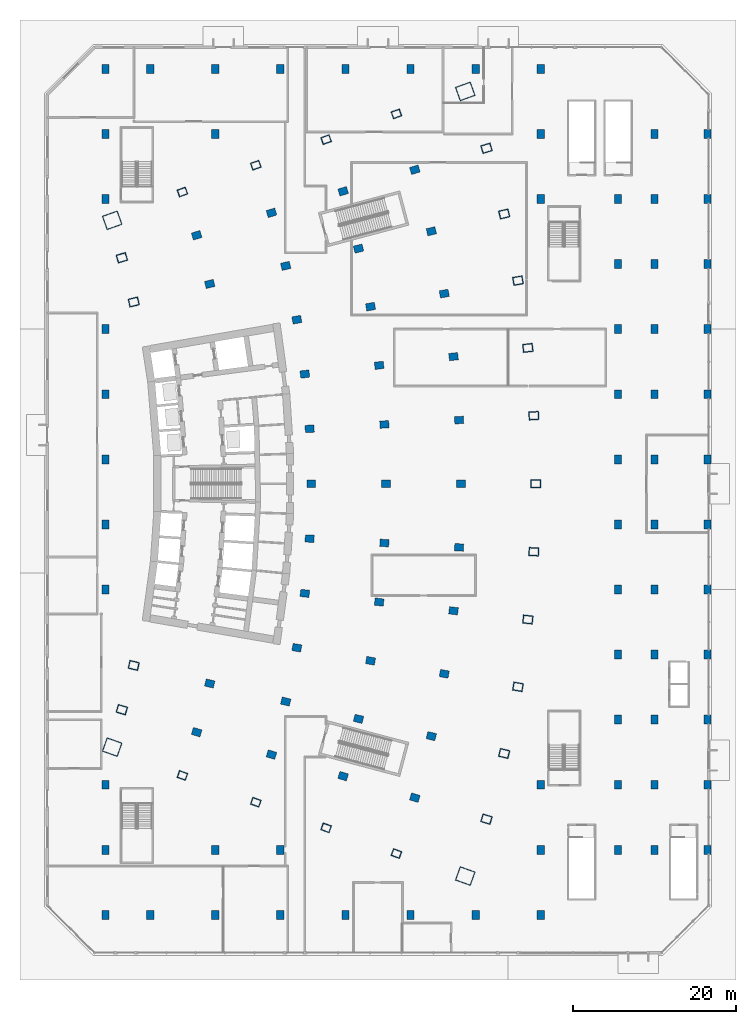
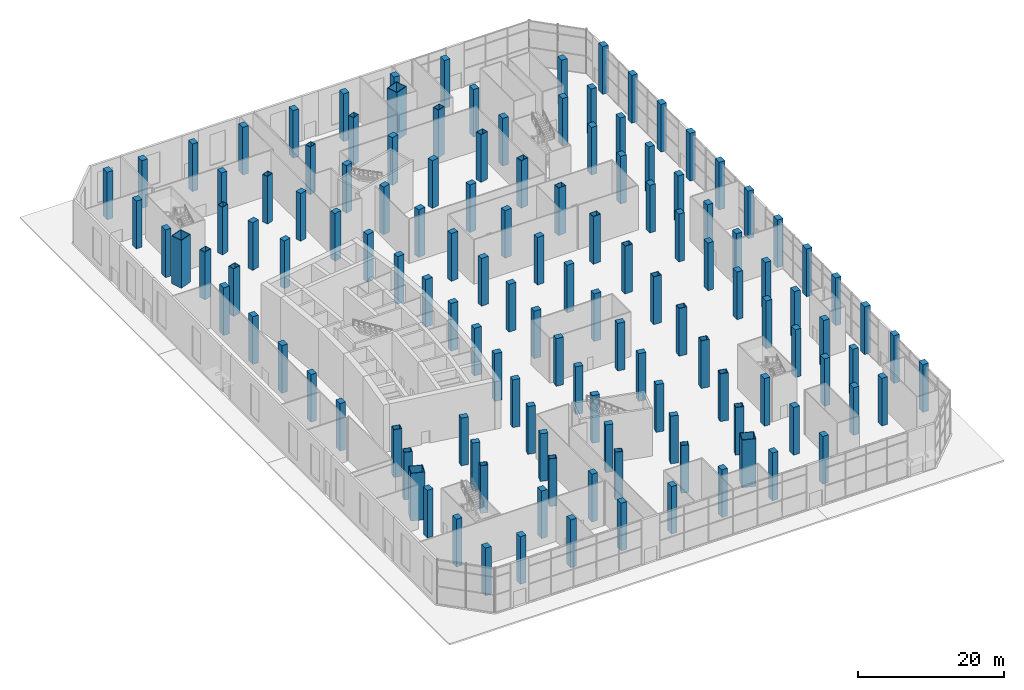
# One storey, part 1 of 33: 131 columns.
"""IFC4 building model written with IfcOpenShell, lengths in metres."""

from ifc_helpers import new_model, si_unit, direction, frame, origin, origin_2d, place, context, subcontext, project, spatial, rectangle, hollow_rectangle, extrude, material, material_profile, profile_set, type_object, element, save


model = new_model("IFC4")

# Units and contexts
model_context = context("Model", 3, precision=1e-05, world=origin(), true_north=direction((0.0, 1.0)))
body_context = subcontext(model_context, "Body", "Model", "MODEL_VIEW")
ifc_project = project(units=[si_unit("LENGTHUNIT", "METRE"), si_unit("AREAUNIT", "SQUARE_METRE"), si_unit("VOLUMEUNIT", "CUBIC_METRE"), si_unit("PLANEANGLEUNIT", "RADIAN"), si_unit("MASSUNIT", "GRAM", prefix="KILO")], contexts=[model_context])

# Site, building, storey
site_placement = place(None, origin())
site = spatial("IfcSite", under=ifc_project, at=site_placement, CompositionType="ELEMENT")
building_placement = place(site_placement, origin())
building = spatial("IfcBuilding", under=site, at=building_placement, Name="Alderwake Tower", CompositionType="ELEMENT")
storey_placement = place(building_placement, origin())
storey = spatial("IfcBuildingStorey", under=building, at=storey_placement, Name="L00", CompositionType="ELEMENT", Elevation=0.0)

# Columns
ifc_material_1 = material(Name="Steel ASTM A572 Grade 50 concrete filled C70/85", Category="concrete")
ifc_material_profile_1 = material_profile(ifc_material_1, hollow_rectangle(XDim=0.89990234375, YDim=1.10009765625, WallThickness=0.06005859375, at=origin_2d()), Name="BOX 1100X900X60")
ifc_profile_set_1 = profile_set([ifc_material_profile_1], Name="Steel ASTM A572 Grade 50 concrete filled C70/85")
column_type_1 = type_object("IfcColumnType", Name="End column Z1", PredefinedType="COLUMN", material=ifc_profile_set_1)
for number, where, z_axis, x_axis, name in (
    (1, (19.965576171875, 25.1484375, 0.0), (0.0, 0.0, 1.0), (0.337584879279, 0.9412950915, 0.0), "Column R01-C1"),
    (2, (28.983642578125, 21.856689453125, 0.0), (0.0, 0.0, 1.0), (0.338026774049, 0.941136493834, 0.0), "Column R01-C2"),
    (3, (37.6259765625, 18.701904296875, 0.0), (0.0, 0.0, 1.0), (0.338384834858, 0.941007812687, 0.0), "Column R01-C3"),
    (4, (46.268310546875, 15.547119140625, 0.0), (0.0, 0.0, 1.0), (0.338695224082, 0.940896139425, 0.0), "Column R01-C4"),
    (5, (19.965576171875, 96.8515625, 0.0), (0.0, 0.0, 1.0), (-0.337584879279, 0.9412950915, 0.0), "Column R13-C1"),
    (6, (28.983642578125, 100.143310546875, 0.0), (0.0, 0.0, 1.0), (-0.338026774049, 0.941136493834, 0.0), "Column R13-C2"),
    (7, (37.6259765625, 103.298095703125, 0.0), (0.0, 0.0, 1.0), (-0.338384834858, 0.941007812687, 0.0), "Column R13-C3"),
    (8, (46.268310546875, 106.452880859375, 0.0), (0.0, 0.0, 1.0), (-0.338695224082, 0.940896139425, 0.0), "Column R13-C4"),
):
    element("IfcColumn", number, at=place(storey_placement, frame(where, z_axis=z_axis, x_axis=x_axis)), inside=storey, type_object=column_type_1, Name=name, PredefinedType="COLUMN", context=body_context, shape_type="SweptSolid", body=[
        extrude(hollow_rectangle(XDim=0.89990234375, YDim=1.10009765625, WallThickness=0.06005859375, at=origin_2d()), origin(), (0.0, 0.0, 1.0), 8.0),
    ])
ifc_material_2 = material(Name="Concrete C70/85", Category="concrete")
ifc_material_profile_2 = material_profile(ifc_material_2, rectangle(XDim=0.89990234375, YDim=1.10009765625, at=origin_2d()), Name="RC 1100X900")
ifc_profile_set_2 = profile_set([ifc_material_profile_2], Name="Concrete C70/85")
column_type_2 = type_object("IfcColumnType", Name="Interior column Z1", PredefinedType="COLUMN", material=ifc_profile_set_2)
for number, where, z_axis, x_axis, name in (
    (9, (21.714599609375, 30.46240234375, 0.0), (0.0, 0.0, 1.0), (0.287549418125, 0.957765802342, 0.0), "Column R02-C1"),
    (10, (30.9091796875, 27.701904296875, 0.0), (0.0, 0.0, 1.0), (0.287549418125, 0.957765802342, 0.0), "Column R02-C2"),
    (11, (39.720703125, 25.056396484375, 0.0), (0.0, 0.0, 1.0), (0.287549418125, 0.957765802342, 0.0), "Column R02-C3"),
    (12, (48.5322265625, 22.410888671875, 0.0), (0.0, 0.0, 1.0), (0.287549418125, 0.957765802342, 0.0), "Column R02-C4"),
    (13, (23.322021484375, 36.444091796875, 0.0), (0.0, 0.0, 1.0), (0.231221547198, 0.972901123502, 0.0), "Column R03-C1"),
    (14, (32.661865234375, 34.224609375, 0.0), (0.0, 0.0, 1.0), (0.231221547198, 0.972901123502, 0.0), "Column R03-C2"),
    (15, (41.612548828125, 32.097412109375, 0.0), (0.0, 0.0, 1.0), (0.231221547198, 0.972901123502, 0.0), "Column R03-C3"),
    (16, (50.563232421875, 29.969970703125, 0.0), (0.0, 0.0, 1.0), (0.231221547198, 0.972901123502, 0.0), "Column R03-C4"),
    (17, (34.03125, 40.83837890625, 0.0), (0.0, 0.0, 1.0), (0.174108800747, 0.984726421654, 0.0), "Column R04-C2"),
    (18, (43.0908203125, 39.236572265625, 0.0), (0.0, 0.0, 1.0), (0.174108800747, 0.984726421654, 0.0), "Column R04-C3"),
    (19, (52.150390625, 37.634765625, 0.0), (0.0, 0.0, 1.0), (0.174108800747, 0.984726421654, 0.0), "Column R04-C4"),
    (20, (35.0126953125, 47.5205078125, 0.0), (0.0, 0.0, 1.0), (0.116402054316, 0.993202175668, 0.0), "Column R05-C2"),
    (21, (44.150390625, 46.44970703125, 0.0), (0.0, 0.0, 1.0), (0.116402054316, 0.993202175668, 0.0), "Column R05-C3"),
    (22, (53.28759765625, 45.37890625, 0.0), (0.0, 0.0, 1.0), (0.116402054316, 0.993202175668, 0.0), "Column R05-C4"),
    (23, (35.60302734375, 54.248779296875, 0.0), (0.0, 0.0, 1.0), (0.058301061284, 0.998299046505, 0.0), "Column R06-C2"),
    (24, (44.787353515625, 53.71240234375, 0.0), (0.0, 0.0, 1.0), (0.058299318924, 0.998299148258, 0.0), "Column R06-C3"),
    (25, (53.9716796875, 53.176025390625, 0.0), (0.0, 0.0, 1.0), (0.058301061284, 0.998299046505, 0.0), "Column R06-C4"),
    (26, (35.800048828125, 61.0, 0.0), (0.0, 0.0, 1.0), (0.0, 1.0, 0.0), "Column R07-C2"),
    (27, (45.0, 61.0, 0.0), (0.0, 0.0, 1.0), (0.0, 1.0, 0.0), "Column R07-C3"),
    (28, (54.199951171875, 61.0, 0.0), (0.0, 0.0, 1.0), (0.0, 1.0, 0.0), "Column R07-C4"),
    (29, (35.60302734375, 67.751220703125, 0.0), (0.0, 0.0, 1.0), (-0.058301061284, 0.998299046505, 0.0), "Column R08-C2"),
    (30, (44.787353515625, 68.28759765625, 0.0), (0.0, 0.0, 1.0), (-0.058299318924, 0.998299148258, 0.0), "Column R08-C3"),
    (31, (53.9716796875, 68.823974609375, 0.0), (0.0, 0.0, 1.0), (-0.058301061284, 0.998299046505, 0.0), "Column R08-C4"),
    (32, (35.0126953125, 74.4794921875, 0.0), (0.0, 0.0, 1.0), (-0.116402054316, 0.993202175668, 0.0), "Column R09-C2"),
    (33, (44.150390625, 75.55029296875, 0.0), (0.0, 0.0, 1.0), (-0.116402054316, 0.993202175668, 0.0), "Column R09-C3"),
    (34, (53.28759765625, 76.62109375, 0.0), (0.0, 0.0, 1.0), (-0.116402054316, 0.993202175668, 0.0), "Column R09-C4"),
    (35, (34.03125, 81.16162109375, 0.0), (0.0, 0.0, 1.0), (-0.174108800747, 0.984726421654, 0.0), "Column R10-C2"),
    (36, (43.0908203125, 82.763427734375, 0.0), (0.0, 0.0, 1.0), (-0.174108800747, 0.984726421654, 0.0), "Column R10-C3"),
    (37, (52.150390625, 84.365234375, 0.0), (0.0, 0.0, 1.0), (-0.174108800747, 0.984726421654, 0.0), "Column R10-C4"),
    (38, (23.322021484375, 85.555908203125, 0.0), (0.0, 0.0, 1.0), (-0.231221547198, 0.972901123502, 0.0), "Column R11-C1"),
    (39, (32.661865234375, 87.775390625, 0.0), (0.0, 0.0, 1.0), (-0.231221547198, 0.972901123502, 0.0), "Column R11-C2"),
    (40, (41.612548828125, 89.902587890625, 0.0), (0.0, 0.0, 1.0), (-0.231221547198, 0.972901123502, 0.0), "Column R11-C3"),
    (41, (50.563232421875, 92.030029296875, 0.0), (0.0, 0.0, 1.0), (-0.231221547198, 0.972901123502, 0.0), "Column R11-C4"),
    (42, (21.714599609375, 91.53759765625, 0.0), (0.0, 0.0, 1.0), (-0.287549418125, 0.957765802342, 0.0), "Column R12-C1"),
    (43, (30.9091796875, 94.298095703125, 0.0), (0.0, 0.0, 1.0), (-0.287549418125, 0.957765802342, 0.0), "Column R12-C2"),
    (44, (39.720703125, 96.943603515625, 0.0), (0.0, 0.0, 1.0), (-0.287549418125, 0.957765802342, 0.0), "Column R12-C3"),
    (45, (48.5322265625, 99.589111328125, 0.0), (0.0, 0.0, 1.0), (-0.287549418125, 0.957765802342, 0.0), "Column R12-C4"),
):
    element("IfcColumn", number, at=place(storey_placement, frame(where, z_axis=z_axis, x_axis=x_axis)), inside=storey, type_object=column_type_2, Name=name, PredefinedType="COLUMN", context=body_context, shape_type="SweptSolid", body=[
        extrude(rectangle(XDim=0.89990234375, YDim=1.10009765625, at=origin_2d()), origin(), (0.0, 0.0, 1.0), 8.0),
    ])
ifc_material_3 = material(Name="Steel ASTM A572 Grade 50 concrete filled C70/85", Category="concrete")
ifc_material_profile_3 = material_profile(ifc_material_3, hollow_rectangle(XDim=1.800048828125, YDim=2.0, WallThickness=0.090087890625, at=origin_2d()), Name="BOX 2000X1800X90")
ifc_profile_set_3 = profile_set([ifc_material_profile_3], Name="Steel ASTM A572 Grade 50 concrete filled C70/85")
column_type_3 = type_object("IfcColumnType", Name="Mega column Z1", PredefinedType="COLUMN", material=ifc_profile_set_3)
for number, where, z_axis, x_axis, name in (
    (46, (11.330810546875, 28.622802734375, 0.0), (0.0, 0.0, 1.0), (0.334130947791, 0.942526662609, 0.0), "Column R01-C0"),
    (47, (54.7294921875, 12.77587890625, 0.0), (0.0, 0.0, 1.0), (0.336995022772, 0.941506428351, 0.0), "Column R01-C5"),
    (48, (11.330810546875, 93.377197265625, 0.0), (0.0, 0.0, 1.0), (-0.334130947791, 0.942526662609, 0.0), "Column R13-C0"),
    (49, (54.7294921875, 109.22412109375, 0.0), (0.0, 0.0, 1.0), (-0.336995022772, 0.941506428351, 0.0), "Column R13-C5"),
):
    element("IfcColumn", number, at=place(storey_placement, frame(where, z_axis=z_axis, x_axis=x_axis)), inside=storey, type_object=column_type_3, Name=name, PredefinedType="COLUMN", context=body_context, shape_type="SweptSolid", body=[
        extrude(hollow_rectangle(XDim=1.800048828125, YDim=2.0, WallThickness=0.090087890625, at=origin_2d()), origin(), (0.0, 0.0, 1.0), 8.0),
    ])
ifc_material_4 = material(Name="Steel ASTM A572 Grade 50 concrete filled C70/85", Category="concrete")
ifc_material_profile_4 = material_profile(ifc_material_4, hollow_rectangle(XDim=1.0, YDim=1.199951171875, WallThickness=0.06005859375, at=origin_2d()), Name="BOX 1200X1000X60")
ifc_profile_set_4 = profile_set([ifc_material_profile_4], Name="Steel ASTM A572 Grade 50 concrete filled C70/85")
column_type_4 = type_object("IfcColumnType", Name="Perimeter column Z1", PredefinedType="COLUMN", material=ifc_profile_set_4)
for number, where, z_axis, x_axis, name in (
    (50, (12.520263671875, 33.222900390625, 0.0), (0.0, 0.0, 1.0), (0.287549418125, 0.957765802342, 0.0), "Column R02-C0"),
    (51, (57.343505859375, 19.765380859375, 0.0), (0.0, 0.0, 1.0), (0.287549418125, 0.957765802342, 0.0), "Column R02-C5"),
    (52, (13.982177734375, 38.6640625, 0.0), (0.0, 0.0, 1.0), (0.231221547198, 0.972901123502, 0.0), "Column R03-C0"),
    (53, (59.513916015625, 27.8427734375, 0.0), (0.0, 0.0, 1.0), (0.231221547198, 0.972901123502, 0.0), "Column R03-C5"),
    (54, (61.209716796875, 36.032958984375, 0.0), (0.0, 0.0, 1.0), (0.174108800747, 0.984726421654, 0.0), "Column R04-C5"),
    (55, (62.42529296875, 44.307861328125, 0.0), (0.0, 0.0, 1.0), (0.116402054316, 0.993202175668, 0.0), "Column R05-C5"),
    (56, (63.156005859375, 52.6396484375, 0.0), (0.0, 0.0, 1.0), (0.058301061284, 0.998299046505, 0.0), "Column R06-C5"),
    (57, (63.39990234375, 61.0, 0.0), (0.0, 0.0, 1.0), (0.0, 1.0, 0.0), "Column R07-C5"),
    (58, (63.156005859375, 69.3603515625, 0.0), (0.0, 0.0, 1.0), (-0.058301061284, 0.998299046505, 0.0), "Column R08-C5"),
    (59, (62.42529296875, 77.692138671875, 0.0), (0.0, 0.0, 1.0), (-0.116402054316, 0.993202175668, 0.0), "Column R09-C5"),
    (60, (61.209716796875, 85.967041015625, 0.0), (0.0, 0.0, 1.0), (-0.174108800747, 0.984726421654, 0.0), "Column R10-C5"),
    (61, (13.982177734375, 83.3359375, 0.0), (0.0, 0.0, 1.0), (-0.231221547198, 0.972901123502, 0.0), "Column R11-C0"),
    (62, (59.513916015625, 94.1572265625, 0.0), (0.0, 0.0, 1.0), (-0.231221547198, 0.972901123502, 0.0), "Column R11-C5"),
    (63, (12.520263671875, 88.777099609375, 0.0), (0.0, 0.0, 1.0), (-0.287549418125, 0.957765802342, 0.0), "Column R12-C0"),
    (64, (57.343505859375, 102.234619140625, 0.0), (0.0, 0.0, 1.0), (-0.287549418125, 0.957765802342, 0.0), "Column R12-C5"),
):
    element("IfcColumn", number, at=place(storey_placement, frame(where, z_axis=z_axis, x_axis=x_axis)), inside=storey, type_object=column_type_4, Name=name, PredefinedType="COLUMN", context=body_context, shape_type="SweptSolid", body=[
        extrude(hollow_rectangle(XDim=1.0, YDim=1.199951171875, WallThickness=0.06005859375, at=origin_2d()), origin(), (0.0, 0.0, 1.0), 8.0),
    ])
ifc_material_5 = material(Name="Concrete C70/85", Category="concrete")
ifc_material_profile_5 = material_profile(ifc_material_5, rectangle(XDim=0.89990234375, YDim=1.10009765625, at=origin_2d()), Name="RC 1100X900")
ifc_profile_set_5 = profile_set([ifc_material_profile_5], Name="Concrete C70/85")
column_type_5 = type_object("IfcColumnType", Name="Podium column", PredefinedType="COLUMN", material=ifc_profile_set_5)
for number, where, z_axis, x_axis, name in (
    (65, (10.5, 8.0, 0.0), (0.0, 0.0, 1.0), (1.0, 0.0, 0.0), "Column XW-YB"),
    (66, (10.5, 16.0, 0.0), (0.0, 0.0, 1.0), (1.0, 0.0, 0.0), "Column XW-YC"),
    (67, (10.5, 24.0, 0.0), (0.0, 0.0, 1.0), (1.0, 0.0, 0.0), "Column XW-YD"),
    (68, (10.5, 48.0, 0.0), (0.0, 0.0, 1.0), (1.0, 0.0, 0.0), "Column XW-YG"),
    (69, (10.5, 56.0, 0.0), (0.0, 0.0, 1.0), (1.0, 0.0, 0.0), "Column XW-YH"),
    (70, (10.5, 64.0, 0.0), (0.0, 0.0, 1.0), (1.0, 0.0, 0.0), "Column XW-YI"),
    (71, (10.5, 72.0, 0.0), (0.0, 0.0, 1.0), (1.0, 0.0, 0.0), "Column XW-YJ"),
    (72, (10.5, 80.0, 0.0), (0.0, 0.0, 1.0), (1.0, 0.0, 0.0), "Column XW-YK"),
    (73, (10.5, 96.0, 0.0), (0.0, 0.0, 1.0), (1.0, 0.0, 0.0), "Column XW-YM"),
    (74, (10.5, 104.0, 0.0), (0.0, 0.0, 1.0), (1.0, 0.0, 0.0), "Column XW-YN"),
    (75, (10.5, 112.0, 0.0), (0.0, 0.0, 1.0), (1.0, 0.0, 0.0), "Column XW-YO"),
    (76, (16.0, 8.0, 0.0), (0.0, 0.0, 1.0), (1.0, 0.0, 0.0), "Column X03-YB"),
    (77, (16.0, 112.0, 0.0), (0.0, 0.0, 1.0), (1.0, 0.0, 0.0), "Column X03-YO"),
    (78, (24.0, 8.0, 0.0), (0.0, 0.0, 1.0), (1.0, 0.0, 0.0), "Column X04-YB"),
    (79, (24.0, 16.0, 0.0), (0.0, 0.0, 1.0), (1.0, 0.0, 0.0), "Column X04-YC"),
    (80, (24.0, 104.0, 0.0), (0.0, 0.0, 1.0), (1.0, 0.0, 0.0), "Column X04-YN"),
    (81, (24.0, 112.0, 0.0), (0.0, 0.0, 1.0), (1.0, 0.0, 0.0), "Column X04-YO"),
    (82, (32.0, 8.0, 0.0), (0.0, 0.0, 1.0), (1.0, 0.0, 0.0), "Column X05-YB"),
    (83, (32.0, 16.0, 0.0), (0.0, 0.0, 1.0), (1.0, 0.0, 0.0), "Column X05-YC"),
    (84, (32.0, 112.0, 0.0), (0.0, 0.0, 1.0), (1.0, 0.0, 0.0), "Column X05-YO"),
    (85, (40.0, 8.0, 0.0), (0.0, 0.0, 1.0), (1.0, 0.0, 0.0), "Column X06-YB"),
    (86, (40.0, 112.0, 0.0), (0.0, 0.0, 1.0), (1.0, 0.0, 0.0), "Column X06-YO"),
    (87, (48.0, 8.0, 0.0), (0.0, 0.0, 1.0), (1.0, 0.0, 0.0), "Column X07-YB"),
    (88, (48.0, 112.0, 0.0), (0.0, 0.0, 1.0), (1.0, 0.0, 0.0), "Column X07-YO"),
    (89, (56.0, 8.0, 0.0), (0.0, 0.0, 1.0), (1.0, 0.0, 0.0), "Column X08-YB"),
    (90, (56.0, 112.0, 0.0), (0.0, 0.0, 1.0), (1.0, 0.0, 0.0), "Column X08-YO"),
    (91, (64.0, 8.0, 0.0), (0.0, 0.0, 1.0), (1.0, 0.0, 0.0), "Column X09-YB"),
    (92, (64.0, 16.0, 0.0), (0.0, 0.0, 1.0), (1.0, 0.0, 0.0), "Column X09-YC"),
    (93, (64.0, 24.0, 0.0), (0.0, 0.0, 1.0), (1.0, 0.0, 0.0), "Column X09-YD"),
    (94, (64.0, 96.0, 0.0), (0.0, 0.0, 1.0), (1.0, 0.0, 0.0), "Column X09-YM"),
    (95, (64.0, 104.0, 0.0), (0.0, 0.0, 1.0), (1.0, 0.0, 0.0), "Column X09-YN"),
    (96, (64.0, 112.0, 0.0), (0.0, 0.0, 1.0), (1.0, 0.0, 0.0), "Column X09-YO"),
    (97, (73.5, 16.0, 0.0), (0.0, 0.0, 1.0), (1.0, 0.0, 0.0), "Column XS1-YC"),
    (98, (73.5, 24.0, 0.0), (0.0, 0.0, 1.0), (1.0, 0.0, 0.0), "Column XS1-YD"),
    (99, (73.5, 32.0, 0.0), (0.0, 0.0, 1.0), (1.0, 0.0, 0.0), "Column XS1-YE"),
    (100, (73.5, 40.0, 0.0), (0.0, 0.0, 1.0), (1.0, 0.0, 0.0), "Column XS1-YF"),
    (101, (73.5, 48.0, 0.0), (0.0, 0.0, 1.0), (1.0, 0.0, 0.0), "Column XS1-YG"),
    (102, (73.5, 56.0, 0.0), (0.0, 0.0, 1.0), (1.0, 0.0, 0.0), "Column XS1-YH"),
    (103, (73.5, 64.0, 0.0), (0.0, 0.0, 1.0), (1.0, 0.0, 0.0), "Column XS1-YI"),
    (104, (73.5, 72.0, 0.0), (0.0, 0.0, 1.0), (1.0, 0.0, 0.0), "Column XS1-YJ"),
    (105, (73.5, 80.0, 0.0), (0.0, 0.0, 1.0), (1.0, 0.0, 0.0), "Column XS1-YK"),
    (106, (73.5, 88.0, 0.0), (0.0, 0.0, 1.0), (1.0, 0.0, 0.0), "Column XS1-YL"),
    (107, (73.5, 96.0, 0.0), (0.0, 0.0, 1.0), (1.0, 0.0, 0.0), "Column XS1-YM"),
    (108, (78.0, 16.0, 0.0), (0.0, 0.0, 1.0), (1.0, 0.0, 0.0), "Column XS2-YC"),
    (109, (78.0, 24.0, 0.0), (0.0, 0.0, 1.0), (1.0, 0.0, 0.0), "Column XS2-YD"),
    (110, (78.0, 32.0, 0.0), (0.0, 0.0, 1.0), (1.0, 0.0, 0.0), "Column XS2-YE"),
    (111, (78.0, 40.0, 0.0), (0.0, 0.0, 1.0), (1.0, 0.0, 0.0), "Column XS2-YF"),
    (112, (78.0, 48.0, 0.0), (0.0, 0.0, 1.0), (1.0, 0.0, 0.0), "Column XS2-YG"),
    (113, (78.0, 56.0, 0.0), (0.0, 0.0, 1.0), (1.0, 0.0, 0.0), "Column XS2-YH"),
    (114, (78.0, 64.0, 0.0), (0.0, 0.0, 1.0), (1.0, 0.0, 0.0), "Column XS2-YI"),
    (115, (78.0, 72.0, 0.0), (0.0, 0.0, 1.0), (1.0, 0.0, 0.0), "Column XS2-YJ"),
    (116, (78.0, 80.0, 0.0), (0.0, 0.0, 1.0), (1.0, 0.0, 0.0), "Column XS2-YK"),
    (117, (78.0, 88.0, 0.0), (0.0, 0.0, 1.0), (1.0, 0.0, 0.0), "Column XS2-YL"),
    (118, (78.0, 96.0, 0.0), (0.0, 0.0, 1.0), (1.0, 0.0, 0.0), "Column XS2-YM"),
    (119, (78.0, 104.0, 0.0), (0.0, 0.0, 1.0), (1.0, 0.0, 0.0), "Column XS2-YN"),
    (120, (84.5, 16.0, 0.0), (0.0, 0.0, 1.0), (1.0, 0.0, 0.0), "Column XE-YC"),
    (121, (84.5, 24.0, 0.0), (0.0, 0.0, 1.0), (1.0, 0.0, 0.0), "Column XE-YD"),
    (122, (84.5, 32.0, 0.0), (0.0, 0.0, 1.0), (1.0, 0.0, 0.0), "Column XE-YE"),
    (123, (84.5, 40.0, 0.0), (0.0, 0.0, 1.0), (1.0, 0.0, 0.0), "Column XE-YF"),
    (124, (84.5, 48.0, 0.0), (0.0, 0.0, 1.0), (1.0, 0.0, 0.0), "Column XE-YG"),
    (125, (84.5, 56.0, 0.0), (0.0, 0.0, 1.0), (1.0, 0.0, 0.0), "Column XE-YH"),
    (126, (84.5, 64.0, 0.0), (0.0, 0.0, 1.0), (1.0, 0.0, 0.0), "Column XE-YI"),
    (127, (84.5, 72.0, 0.0), (0.0, 0.0, 1.0), (1.0, 0.0, 0.0), "Column XE-YJ"),
    (128, (84.5, 80.0, 0.0), (0.0, 0.0, 1.0), (1.0, 0.0, 0.0), "Column XE-YK"),
    (129, (84.5, 88.0, 0.0), (0.0, 0.0, 1.0), (1.0, 0.0, 0.0), "Column XE-YL"),
    (130, (84.5, 96.0, 0.0), (0.0, 0.0, 1.0), (1.0, 0.0, 0.0), "Column XE-YM"),
    (131, (84.5, 104.0, 0.0), (0.0, 0.0, 1.0), (1.0, 0.0, 0.0), "Column XE-YN"),
):
    element("IfcColumn", number, at=place(storey_placement, frame(where, z_axis=z_axis, x_axis=x_axis)), inside=storey, type_object=column_type_5, Name=name, PredefinedType="COLUMN", context=body_context, shape_type="SweptSolid", body=[
        extrude(rectangle(XDim=0.89990234375, YDim=1.10009765625, at=origin_2d()), origin(), (0.0, 0.0, 1.0), 8.0),
    ])

save(model, "model.ifc")
